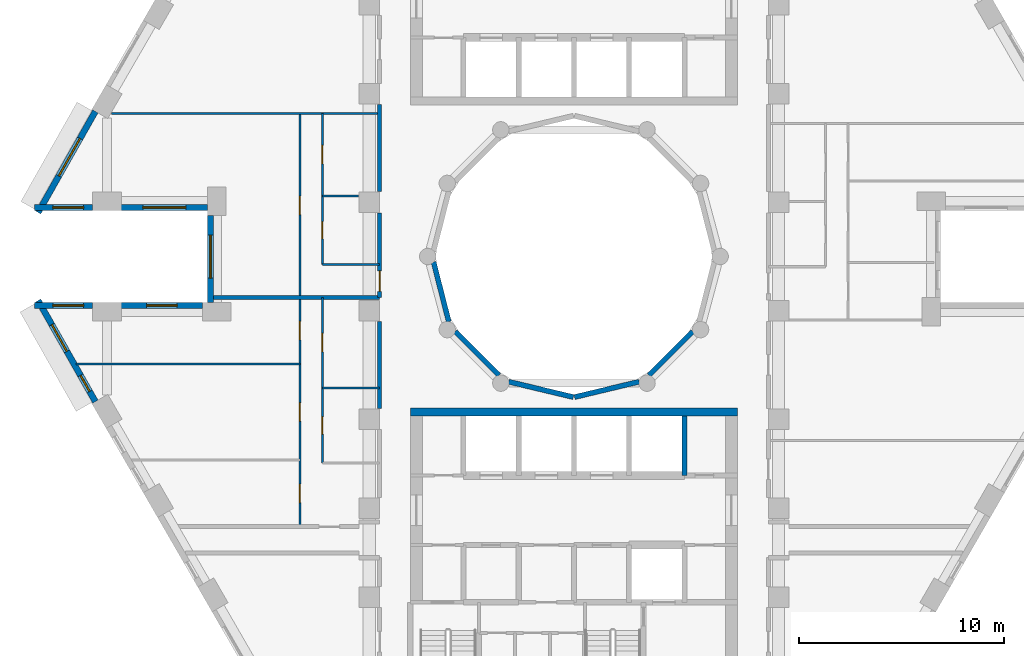
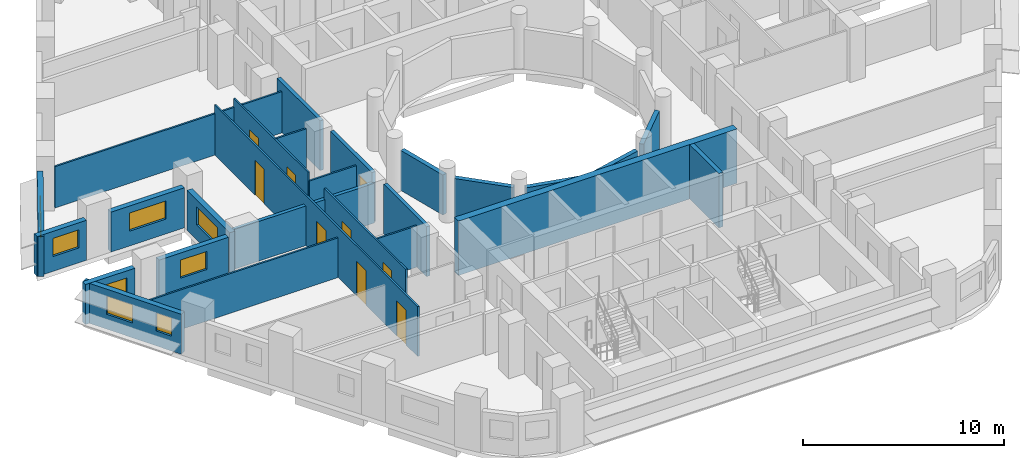
# One storey, part 4 of 12: 26 walls, 9 doors, 8 windows, 17 openings.
"""IFC4 building model written with IfcOpenShell, lengths in metres."""

from ifc_helpers import new_model, si_unit, direction, frame, frame_2d, origin, place, context, subcontext, project, spatial, rectangle, extrude, material, layer, layer_set, type_object, element, fill, save


model = new_model("IFC4")

# Units and contexts
model_context = context("Model", 3, precision=1e-05, world=origin(), true_north=direction((0.0, 1.0)))
body_context = subcontext(model_context, "Body", "Model", "MODEL_VIEW")
ifc_project = project(units=[si_unit("LENGTHUNIT", "METRE"), si_unit("AREAUNIT", "SQUARE_METRE"), si_unit("VOLUMEUNIT", "CUBIC_METRE"), si_unit("PLANEANGLEUNIT", "RADIAN"), si_unit("MASSUNIT", "GRAM", prefix="KILO")], contexts=[model_context])

# Site, building, storey
site_placement = place(None, origin())
site = spatial("IfcSite", under=ifc_project, at=site_placement, CompositionType="ELEMENT")
building_placement = place(site_placement, origin())
building = spatial("IfcBuilding", under=site, at=building_placement, Name="Nakaniwa Court", CompositionType="ELEMENT")
storey_placement = place(building_placement, frame((0.0, 0.0, 97.5)))
storey = spatial("IfcBuildingStorey", under=building, at=storey_placement, Name="L25", CompositionType="ELEMENT", Elevation=97.5)

# Wall
ifc_material_1 = material(Name="Acoustic double stud partition")
ifc_layer_1 = layer(ifc_material_1, 0.199951171875)
ifc_layer_set_1 = layer_set([ifc_layer_1], Name="Acoustic double stud partition")
wall_type_1 = type_object("IfcWallType", Name="Acoustic double stud partition 200", PredefinedType="PARTITIONING", material=ifc_layer_set_1)
wall_1_placement = place(storey_placement, frame((70.5, 72.56689453125, 0.0), z_axis=(0.0, 0.0, 1.0), x_axis=(0.0, 1.0, 0.0)))
element("IfcWall", 1, at=wall_1_placement, inside=storey, type_object=wall_type_1, Name="Partition PW-101", PredefinedType="PARTITIONING", context=body_context, shape_type="SweptSolid", body=[
    extrude(rectangle(XDim=4.26611328125, YDim=0.199951171875, at=frame_2d((2.133056640625, 0.0))), origin(), (0.0, 0.0, 1.0), 3.02490234375),
])

# Wall, opening, door
wall_2_placement = place(storey_placement, frame((70.5, 77.9970703125, 0.0), z_axis=(0.0, 0.0, 1.0), x_axis=(0.0, 1.0, 0.0)))
wall_2 = element("IfcWall", 2, at=wall_2_placement, inside=storey, type_object=wall_type_1, Name="Partition PW-102", PredefinedType="PARTITIONING", context=body_context, shape_type="SweptSolid", body=[
    extrude(rectangle(XDim=4.135986328125, YDim=0.199951171875, at=frame_2d((2.06787109375, 0.0))), origin(), (0.0, 0.0, 1.0), 3.02490234375),
])
opening_1_placement = place(wall_2_placement, frame((0.302978515625, 0.0, 0.0)))
opening_1 = element("IfcOpeningElement", 3, at=opening_1_placement, cuts=wall_2, Name="Opening D-01-03", PredefinedType="OPENING", context=body_context, shape_type="SweptSolid", body=[
    extrude(rectangle(XDim=1.0, YDim=2.10009765625, at=frame_2d((0.5, 1.050048828125))), frame((0.0, 0.10986328125, 0.0), z_axis=(0.0, -1.0, 0.0), x_axis=(1.0, 0.0, 0.0)), (0.0, 0.0, 1.0), 0.219970703125),
])
ifc_material_2 = material(Name="Solid core timber door set, black veneer", Category="wood")
door_type_1 = type_object("IfcDoorType", Name="Flat entrance door 1000", OperationType="NOTDEFINED", PredefinedType="DOOR", material=ifc_material_2)
door_1_placement = place(opening_1_placement, origin())
door_1 = element("IfcDoor", 4, at=door_1_placement, inside=storey, type_object=door_type_1, Name="Door D-01-03 L25-042", OperationType="SINGLE_SWING_LEFT", OverallHeight=2.10009765625, OverallWidth=1.0, PredefinedType="DOOR", context=body_context, shape_type="SweptSolid", body=[
    extrude(rectangle(XDim=1.0, YDim=2.10009765625, at=frame_2d((0.5, 1.050048828125))), frame((0.0, 0.02490234375, 0.0), z_axis=(0.0, -1.0, 0.0), x_axis=(1.0, 0.0, 0.0)), (0.0, 0.0, 1.0), 0.050048828125),
])
fill(opening_1, door_1)

# Walls
wall_3_placement = place(storey_placement, frame((70.5, 83.1669921875, 0.0), z_axis=(0.0, 0.0, 1.0), x_axis=(0.0, 1.0, 0.0)))
element("IfcWall", 5, at=wall_3_placement, inside=storey, type_object=wall_type_1, Name="Partition PW-103", PredefinedType="PARTITIONING", context=body_context, shape_type="SweptSolid", body=[
    extrude(rectangle(XDim=4.26611328125, YDim=0.199951171875, at=frame_2d((2.133056640625, 0.0))), origin(), (0.0, 0.0, 1.0), 3.02490234375),
])
wall_4_placement = place(storey_placement, frame((62.3916015625, 78.0, 0.0), z_axis=(0.0, 0.0, 1.0), x_axis=(1.0, 0.0, 0.0)))
element("IfcWall", 6, at=wall_4_placement, inside=storey, type_object=wall_type_1, Name="Partition PW-122", PredefinedType="PARTITIONING", context=body_context, shape_type="SweptSolid", body=[
    extrude(rectangle(XDim=8.1083984375, YDim=0.199951171875, at=frame_2d((4.05419921875, 0.0))), origin(), (0.0, 0.0, 1.0), 2.405029296875),
])

# Wall, opening, window
ifc_material_3 = material(Name="Charcoal ceramic cladding")
ifc_layer_2 = layer(ifc_material_3, 0.02, Name="Ceramic cladding")
ifc_material_4 = material(Name="Ventilated air cavity")
ifc_layer_3 = layer(ifc_material_4, 0.04, ventilated=True, Name="Ventilated cavity")
ifc_material_5 = material(Name="Mineral wool insulation")
ifc_layer_4 = layer(ifc_material_5, 0.1, Name="Insulation")
ifc_material_6 = material(Name="Cement bonded sheathing board")
ifc_layer_5 = layer(ifc_material_6, 0.012, Name="Sheathing")
ifc_material_7 = material(Name="Cold-formed galvanised stud frame with mineral wool infill")
ifc_layer_6 = layer(ifc_material_7, 0.1, Name="Stud frame")
ifc_material_8 = material(Name="Fire-rated gypsum plasterboard lining")
ifc_layer_7 = layer(ifc_material_8, 0.028, Name="Lining")
ifc_layer_set_2 = layer_set([ifc_layer_2, ifc_layer_3, ifc_layer_4, ifc_layer_5, ifc_layer_6, ifc_layer_7], Name="Charcoal ceramic faced external wall system")
wall_type_2 = type_object("IfcWallType", Name="Black ceramic faced external wall 300", PredefinedType="SOLIDWALL", material=ifc_layer_set_2)
wall_5_placement = place(storey_placement, frame((56.609375, 87.09375, 0.0), z_axis=(0.0, 0.0, 1.0), x_axis=(-0.492456858874, -0.870336855561, 0.0)))
wall_5 = element("IfcWall", 7, at=wall_5_placement, inside=storey, type_object=wall_type_2, Name="L25 external wall 14", PredefinedType="SOLIDWALL", context=body_context, shape_type="SweptSolid", body=[
    extrude(rectangle(XDim=5.676513671875, YDim=0.300048828125, at=frame_2d((2.83837890625, 0.0))), origin(), (0.0, 0.0, 1.0), 2.425048828125),
])
opening_2_placement = place(wall_5_placement, frame((1.52490234375, 0.0, 0.89990234375)))
opening_2 = element("IfcOpeningElement", 8, at=opening_2_placement, cuts=wall_5, Name="Opening W7.15", PredefinedType="OPENING", context=body_context, shape_type="SweptSolid", body=[
    extrude(rectangle(XDim=2.10009765625, YDim=1.10009765625, at=frame_2d((1.050048828125, 0.550048828125))), frame((0.0, 0.159912109375, 0.0), z_axis=(0.0, -1.0, 0.0), x_axis=(1.0, 0.0, 0.0)), (0.0, 0.0, 1.0), 0.320068359375),
])
ifc_material_9 = material(Name="Black anodised aluminium frame with dark low-E laminated double glazing", Category="aluminium")
window_type_1 = type_object("IfcWindowType", Name="Dark glass window 2100x1100 sill 900", PartitioningType="SINGLE_PANEL", PredefinedType="WINDOW", material=ifc_material_9)
window_1_placement = place(opening_2_placement, origin())
window_1 = element("IfcWindow", 9, at=window_1_placement, inside=storey, type_object=window_type_1, Name="L25 living window 14-0", OverallHeight=1.10009765625, OverallWidth=2.10009765625, PartitioningType="SINGLE_PANEL", PredefinedType="WINDOW", context=body_context, shape_type="SweptSolid", body=[
    extrude(rectangle(XDim=2.10009765625, YDim=1.10009765625, at=frame_2d((1.050048828125, 0.550048828125))), frame((0.0, 0.030029296875, 0.0), z_axis=(0.0, -1.0, 0.0), x_axis=(1.0, 0.0, 0.0)), (0.0, 0.0, 1.0), 0.06005859375),
])
fill(opening_2, window_1)

wall_6_placement = place(storey_placement, frame((53.643310546875, 82.39990234375, 0.0), z_axis=(0.0, 0.0, 1.0), x_axis=(1.0, 0.0, 0.0)))
wall_6 = element("IfcWall", 10, at=wall_6_placement, inside=storey, type_object=wall_type_2, Name="L25 external wall 15", PredefinedType="SOLIDWALL", context=body_context, shape_type="SweptSolid", body=[
    extrude(rectangle(XDim=2.837890625, YDim=0.300048828125, at=frame_2d((1.4189453125, 0.0))), origin(), (0.0, 0.0, 1.0), 2.425048828125),
])
opening_3_placement = place(wall_6_placement, frame((0.893798828125, 0.0, 0.89990234375)))
opening_3 = element("IfcOpeningElement", 11, at=opening_3_placement, cuts=wall_6, Name="Opening W5.16", PredefinedType="OPENING", context=body_context, shape_type="SweptSolid", body=[
    extrude(rectangle(XDim=1.5, YDim=1.10009765625, at=frame_2d((0.75, 0.550048828125))), frame((0.0, 0.159912109375, 0.0), z_axis=(0.0, -1.0, 0.0), x_axis=(1.0, 0.0, 0.0)), (0.0, 0.0, 1.0), 0.320068359375),
])
window_type_2 = type_object("IfcWindowType", Name="Dark glass window 1500x1100 sill 900", PartitioningType="SINGLE_PANEL", PredefinedType="WINDOW", material=ifc_material_9)
window_2_placement = place(opening_3_placement, origin())
window_2 = element("IfcWindow", 12, at=window_2_placement, inside=storey, type_object=window_type_2, Name="L25 living window 15-0", OverallHeight=1.10009765625, OverallWidth=1.5, PartitioningType="SINGLE_PANEL", PredefinedType="WINDOW", context=body_context, shape_type="SweptSolid", body=[
    extrude(rectangle(XDim=1.5, YDim=1.10009765625, at=frame_2d((0.75, 0.550048828125))), frame((0.0, 0.030029296875, 0.0), z_axis=(0.0, -1.0, 0.0), x_axis=(1.0, 0.0, 0.0)), (0.0, 0.0, 1.0), 0.06005859375),
])
fill(opening_3, window_2)

wall_7_placement = place(storey_placement, frame((57.873046875, 82.39990234375, 0.0), z_axis=(0.0, 0.0, 1.0), x_axis=(1.0, 0.0, 0.0)))
wall_7 = element("IfcWall", 13, at=wall_7_placement, inside=storey, type_object=wall_type_2, Name="L25 external wall 16", PredefinedType="SOLIDWALL", context=body_context, shape_type="SweptSolid", body=[
    extrude(rectangle(XDim=4.22265625, YDim=0.300048828125, at=frame_2d((2.111328125, 0.0))), origin(), (0.0, 0.0, 1.0), 2.425048828125),
])
opening_4_placement = place(wall_7_placement, frame((1.061279296875, 0.0, 0.89990234375)))
opening_4 = element("IfcOpeningElement", 14, at=opening_4_placement, cuts=wall_7, Name="Opening W7.17", PredefinedType="OPENING", context=body_context, shape_type="SweptSolid", body=[
    extrude(rectangle(XDim=2.10009765625, YDim=1.10009765625, at=frame_2d((1.050048828125, 0.550048828125))), frame((0.0, 0.159912109375, 0.0), z_axis=(0.0, -1.0, 0.0), x_axis=(1.0, 0.0, 0.0)), (0.0, 0.0, 1.0), 0.320068359375),
])
window_3_placement = place(opening_4_placement, origin())
window_3 = element("IfcWindow", 15, at=window_3_placement, inside=storey, type_object=window_type_1, Name="L25 living window 16-0", OverallHeight=1.10009765625, OverallWidth=2.10009765625, PartitioningType="SINGLE_PANEL", PredefinedType="WINDOW", context=body_context, shape_type="SweptSolid", body=[
    extrude(rectangle(XDim=2.10009765625, YDim=1.10009765625, at=frame_2d((1.050048828125, 0.550048828125))), frame((0.0, 0.030029296875, 0.0), z_axis=(0.0, -1.0, 0.0), x_axis=(1.0, 0.0, 0.0)), (0.0, 0.0, 1.0), 0.06005859375),
])
fill(opening_4, window_3)

wall_8_placement = place(storey_placement, frame((62.24169921875, 82.00390625, 0.0), z_axis=(0.0, 0.0, 1.0), x_axis=(0.0, -1.0, 0.0)))
wall_8 = element("IfcWall", 16, at=wall_8_placement, inside=storey, type_object=wall_type_2, Name="L25 external wall 17", PredefinedType="SOLIDWALL", context=body_context, shape_type="SweptSolid", body=[
    extrude(rectangle(XDim=4.2578125, YDim=0.300048828125, at=frame_2d((2.12890625, 0.0))), origin(), (0.0, 0.0, 1.0), 2.425048828125),
])
opening_5_placement = place(wall_8_placement, frame((0.964111328125, 0.0, 0.89990234375)))
opening_5 = element("IfcOpeningElement", 17, at=opening_5_placement, cuts=wall_8, Name="Opening W7.18", PredefinedType="OPENING", context=body_context, shape_type="SweptSolid", body=[
    extrude(rectangle(XDim=2.10009765625, YDim=1.10009765625, at=frame_2d((1.050048828125, 0.550048828125))), frame((0.0, 0.159912109375, 0.0), z_axis=(0.0, -1.0, 0.0), x_axis=(1.0, 0.0, 0.0)), (0.0, 0.0, 1.0), 0.320068359375),
])
window_4_placement = place(opening_5_placement, origin())
window_4 = element("IfcWindow", 18, at=window_4_placement, inside=storey, type_object=window_type_1, Name="L25 living window 17-0", OverallHeight=1.10009765625, OverallWidth=2.10009765625, PartitioningType="SINGLE_PANEL", PredefinedType="WINDOW", context=body_context, shape_type="SweptSolid", body=[
    extrude(rectangle(XDim=2.10009765625, YDim=1.10009765625, at=frame_2d((1.050048828125, 0.550048828125))), frame((0.0, 0.030029296875, 0.0), z_axis=(0.0, -1.0, 0.0), x_axis=(1.0, 0.0, 0.0)), (0.0, 0.0, 1.0), 0.06005859375),
])
fill(opening_5, window_4)

wall_9_placement = place(storey_placement, frame((61.845703125, 77.60009765625, 0.0), z_axis=(0.0, 0.0, 1.0), x_axis=(-1.0, 0.0, 0.0)))
wall_9 = element("IfcWall", 19, at=wall_9_placement, inside=storey, type_object=wall_type_2, Name="L25 external wall 18", PredefinedType="SOLIDWALL", context=body_context, shape_type="SweptSolid", body=[
    extrude(rectangle(XDim=3.97265625, YDim=0.300048828125, at=frame_2d((1.986328125, 0.0))), origin(), (0.0, 0.0, 1.0), 2.425048828125),
])
opening_6_placement = place(wall_9_placement, frame((1.236328125, 0.0, 0.89990234375)))
opening_6 = element("IfcOpeningElement", 20, at=opening_6_placement, cuts=wall_9, Name="Opening W5.19", PredefinedType="OPENING", context=body_context, shape_type="SweptSolid", body=[
    extrude(rectangle(XDim=1.5, YDim=1.10009765625, at=frame_2d((0.75, 0.550048828125))), frame((0.0, 0.159912109375, 0.0), z_axis=(0.0, -1.0, 0.0), x_axis=(1.0, 0.0, 0.0)), (0.0, 0.0, 1.0), 0.320068359375),
])
window_5_placement = place(opening_6_placement, origin())
window_5 = element("IfcWindow", 21, at=window_5_placement, inside=storey, type_object=window_type_2, Name="L25 bedroom window 18-0", OverallHeight=1.10009765625, OverallWidth=1.5, PartitioningType="SINGLE_PANEL", PredefinedType="WINDOW", context=body_context, shape_type="SweptSolid", body=[
    extrude(rectangle(XDim=1.5, YDim=1.10009765625, at=frame_2d((0.75, 0.550048828125))), frame((0.0, 0.030029296875, 0.0), z_axis=(0.0, -1.0, 0.0), x_axis=(1.0, 0.0, 0.0)), (0.0, 0.0, 1.0), 0.06005859375),
])
fill(opening_6, window_5)

wall_10_placement = place(storey_placement, frame((56.481201171875, 77.60009765625, 0.0), z_axis=(0.0, 0.0, 1.0), x_axis=(-1.0, 0.0, 0.0)))
wall_10 = element("IfcWall", 22, at=wall_10_placement, inside=storey, type_object=wall_type_2, Name="L25 external wall 19", PredefinedType="SOLIDWALL", context=body_context, shape_type="SweptSolid", body=[
    extrude(rectangle(XDim=2.837890625, YDim=0.300048828125, at=frame_2d((1.4189453125, 0.0))), origin(), (0.0, 0.0, 1.0), 2.425048828125),
])
opening_7_placement = place(wall_10_placement, frame((0.44384765625, 0.0, 0.89990234375)))
opening_7 = element("IfcOpeningElement", 23, at=opening_7_placement, cuts=wall_10, Name="Opening W5.20", PredefinedType="OPENING", context=body_context, shape_type="SweptSolid", body=[
    extrude(rectangle(XDim=1.5, YDim=1.10009765625, at=frame_2d((0.75, 0.550048828125))), frame((0.0, 0.159912109375, 0.0), z_axis=(0.0, -1.0, 0.0), x_axis=(1.0, 0.0, 0.0)), (0.0, 0.0, 1.0), 0.320068359375),
])
window_6_placement = place(opening_7_placement, origin())
window_6 = element("IfcWindow", 24, at=window_6_placement, inside=storey, type_object=window_type_2, Name="L25 bedroom window 19-0", OverallHeight=1.10009765625, OverallWidth=1.5, PartitioningType="SINGLE_PANEL", PredefinedType="WINDOW", context=body_context, shape_type="SweptSolid", body=[
    extrude(rectangle(XDim=1.5, YDim=1.10009765625, at=frame_2d((0.75, 0.550048828125))), frame((0.0, 0.030029296875, 0.0), z_axis=(0.0, -1.0, 0.0), x_axis=(1.0, 0.0, 0.0)), (0.0, 0.0, 1.0), 0.06005859375),
])
fill(opening_7, window_6)

# Wall, openings, windows
wall_11_placement = place(storey_placement, frame((53.81396484375, 77.8466796875, 0.0), z_axis=(0.0, 0.0, 1.0), x_axis=(0.492456858874, -0.870336855561, 0.0)))
wall_11 = element("IfcWall", 25, at=wall_11_placement, inside=storey, type_object=wall_type_2, Name="L25 external wall 20", PredefinedType="SOLIDWALL", context=body_context, shape_type="SweptSolid", body=[
    extrude(rectangle(XDim=5.676513671875, YDim=0.300048828125, at=frame_2d((2.83837890625, 0.0))), origin(), (0.0, 0.0, 1.0), 2.425048828125),
])
opening_8_placement = place(wall_11_placement, frame((1.35400390625, 0.0, 0.89990234375)))
opening_8 = element("IfcOpeningElement", 26, at=opening_8_placement, cuts=wall_11, Name="Opening W5.21", PredefinedType="OPENING", context=body_context, shape_type="SweptSolid", body=[
    extrude(rectangle(XDim=1.5, YDim=1.10009765625, at=frame_2d((0.75, 0.550048828125))), frame((0.0, 0.159912109375, 0.0), z_axis=(0.0, -1.0, 0.0), x_axis=(1.0, 0.0, 0.0)), (0.0, 0.0, 1.0), 0.320068359375),
])
opening_9_placement = place(wall_11_placement, frame((4.203369140625, 0.0, 0.89990234375)))
opening_9 = element("IfcOpeningElement", 27, at=opening_9_placement, cuts=wall_11, Name="Opening W9.22", PredefinedType="OPENING", context=body_context, shape_type="SweptSolid", body=[
    extrude(rectangle(XDim=0.89990234375, YDim=1.10009765625, at=frame_2d((0.449951171875, 0.550048828125))), frame((0.0, 0.159912109375, 0.0), z_axis=(0.0, -1.0, 0.0), x_axis=(1.0, 0.0, 0.0)), (0.0, 0.0, 1.0), 0.320068359375),
])
window_7_placement = place(opening_8_placement, origin())
window_7 = element("IfcWindow", 28, at=window_7_placement, inside=storey, type_object=window_type_2, Name="L25 bedroom window 20-0", OverallHeight=1.10009765625, OverallWidth=1.5, PartitioningType="SINGLE_PANEL", PredefinedType="WINDOW", context=body_context, shape_type="SweptSolid", body=[
    extrude(rectangle(XDim=1.5, YDim=1.10009765625, at=frame_2d((0.75, 0.550048828125))), frame((0.0, 0.030029296875, 0.0), z_axis=(0.0, -1.0, 0.0), x_axis=(1.0, 0.0, 0.0)), (0.0, 0.0, 1.0), 0.06005859375),
])
fill(opening_8, window_7)
window_type_3 = type_object("IfcWindowType", Name="Dark glass window 900x1100 sill 900", PartitioningType="SINGLE_PANEL", PredefinedType="WINDOW", material=ifc_material_9)
window_8_placement = place(opening_9_placement, origin())
window_8 = element("IfcWindow", 29, at=window_8_placement, inside=storey, type_object=window_type_3, Name="L25 living window 20-1", OverallHeight=1.10009765625, OverallWidth=0.89990234375, PartitioningType="SINGLE_PANEL", PredefinedType="WINDOW", context=body_context, shape_type="SweptSolid", body=[
    extrude(rectangle(XDim=0.89990234375, YDim=1.10009765625, at=frame_2d((0.449951171875, 0.550048828125))), frame((0.0, 0.030029296875, 0.0), z_axis=(0.0, -1.0, 0.0), x_axis=(1.0, 0.0, 0.0)), (0.0, 0.0, 1.0), 0.06005859375),
])
fill(opening_9, window_8)

# Walls
ifc_layer_8 = layer(ifc_material_3, 0.02, Name="Ceramic cladding")
ifc_layer_9 = layer(ifc_material_4, 0.04, ventilated=True, Name="Ventilated cavity")
ifc_layer_10 = layer(ifc_material_5, 0.075, Name="Insulation")
ifc_layer_11 = layer(ifc_material_6, 0.012, Name="Sheathing")
ifc_layer_12 = layer(ifc_material_7, 0.075, Name="Stud frame")
ifc_layer_13 = layer(ifc_material_8, 0.028, Name="Lining")
ifc_layer_set_3 = layer_set([ifc_layer_8, ifc_layer_9, ifc_layer_10, ifc_layer_11, ifc_layer_12, ifc_layer_13], Name="Charcoal ceramic faced external wall system")
wall_type_3 = type_object("IfcWallType", Name="Charcoal ceramic faced well wall 250", PredefinedType="SOLIDWALL", material=ifc_layer_set_3)
wall_12_placement = place(storey_placement, frame((85.8056640625, 76.339111328125, 0.0), z_axis=(0.0, 0.0, 1.0), x_axis=(-0.707106781187, -0.707106781187, 0.0)))
element("IfcWall", 30, at=wall_12_placement, inside=storey, type_object=wall_type_3, Name="L25 external wall 37", PredefinedType="SOLIDWALL", context=body_context, shape_type="SweptSolid", body=[
    extrude(rectangle(XDim=3.033203125, YDim=0.25, at=frame_2d((1.5166015625, 0.0))), origin(), (0.0, 0.0, 1.0), 2.425048828125),
])
for number, where, z_axis, x_axis, name in (
    (31, (83.186279296875, 73.880615234375, 0.0), (0.0, 0.0, 1.0), (-0.972773113459, -0.231759508395, 0.0), "L25 external wall 38"),
    (32, (79.970947265625, 73.12841796875, 0.0), (0.0, 0.0, 1.0), (-0.972773113459, 0.231759508395, 0.0), "L25 external wall 39"),
):
    element("IfcWall", number, at=place(storey_placement, frame(where, z_axis=z_axis, x_axis=x_axis)), inside=storey, type_object=wall_type_3, Name=name, PredefinedType="SOLIDWALL", context=body_context, shape_type="SweptSolid", body=[
        extrude(rectangle(XDim=3.24560546875, YDim=0.25, at=frame_2d((1.622802734375, 0.0))), origin(), (0.0, 0.0, 1.0), 2.425048828125),
    ])
wall_13_placement = place(storey_placement, frame((76.339111328125, 74.1943359375, 0.0), z_axis=(0.0, 0.0, 1.0), x_axis=(-0.707106781187, 0.707106781187, 0.0)))
element("IfcWall", 33, at=wall_13_placement, inside=storey, type_object=wall_type_3, Name="L25 external wall 40", PredefinedType="SOLIDWALL", context=body_context, shape_type="SweptSolid", body=[
    extrude(rectangle(XDim=3.033203125, YDim=0.25, at=frame_2d((1.5166015625, 0.0))), origin(), (0.0, 0.0, 1.0), 2.425048828125),
])
wall_14_placement = place(storey_placement, frame((73.88330078125, 76.813232421875, 0.0), z_axis=(0.0, 0.0, 1.0), x_axis=(-0.247055971283, 0.969001211069, 0.0)))
element("IfcWall", 34, at=wall_14_placement, inside=storey, type_object=wall_type_3, Name="L25 external wall 41", PredefinedType="SOLIDWALL", context=body_context, shape_type="SweptSolid", body=[
    extrude(rectangle(XDim=3.010009765625, YDim=0.25, at=frame_2d((1.5048828125, 0.0))), origin(), (0.0, 0.0, 1.0), 2.425048828125),
])
ifc_material_10 = material(Name="Concrete C80/100", Category="concrete")
ifc_layer_14 = layer(ifc_material_10, 0.39990234375)
ifc_layer_set_4 = layer_set([ifc_layer_14], Name="Concrete C80/100")
wall_type_4 = type_object("IfcWallType", Name="Concrete core well wall 400 C80", PredefinedType="SHEAR", material=ifc_layer_set_4)
wall_15_placement = place(storey_placement, frame((72.00390625, 72.39990234375, -0.27490234375), z_axis=(0.0, 0.0, 1.0), x_axis=(1.0, 0.0, 0.0)))
element("IfcWall", 35, at=wall_15_placement, inside=storey, type_object=wall_type_4, Name="Core wall SW-131", PredefinedType="SHEAR", context=body_context, shape_type="SweptSolid", body=[
    extrude(rectangle(XDim=15.9921875, YDim=0.39990234375, at=frame_2d((7.99609375, 0.0))), origin(), (0.0, 0.0, 1.0), 3.2998046875),
])
ifc_layer_15 = layer(ifc_material_10, 0.25)
ifc_layer_set_5 = layer_set([ifc_layer_15], Name="Concrete C80/100")
wall_type_5 = type_object("IfcWallType", Name="Concrete shaft wall 250 C80", PredefinedType="SHEAR", material=ifc_layer_set_5)
wall_16_placement = place(storey_placement, frame((85.39990234375, 69.300048828125, -0.27490234375), z_axis=(0.0, 0.0, 1.0), x_axis=(0.0, 1.0, 0.0)))
element("IfcWall", 36, at=wall_16_placement, inside=storey, type_object=wall_type_5, Name="Core wall SW-47", PredefinedType="SHEAR", context=body_context, shape_type="SweptSolid", body=[
    extrude(rectangle(XDim=2.89990234375, YDim=0.25, at=frame_2d((1.449951171875, 0.0))), origin(), (0.0, 0.0, 1.0), 3.2998046875),
])
ifc_material_11 = material(Name="Single stud plasterboard partition")
ifc_layer_16 = layer(ifc_material_11, 0.10009765625)
ifc_layer_set_6 = layer_set([ifc_layer_16], Name="Single stud plasterboard partition")
wall_type_6 = type_object("IfcWallType", Name="Single stud plasterboard partition 100", PredefinedType="PARTITIONING", material=ifc_layer_set_6)
wall_17_placement = place(storey_placement, frame((67.699951171875, 73.58203125, 0.0), z_axis=(0.0, 0.0, 1.0), x_axis=(1.0, 0.0, 0.0)))
element("IfcWall", 37, at=wall_17_placement, inside=storey, type_object=wall_type_6, Name="Partition PW-118", PredefinedType="PARTITIONING", context=body_context, shape_type="SweptSolid", body=[
    extrude(rectangle(XDim=2.800048828125, YDim=0.10009765625, at=frame_2d((1.39990234375, 0.0))), origin(), (0.0, 0.0, 1.0), 2.5048828125),
])

# Wall, openings, doors
wall_18_placement = place(storey_placement, frame((67.699951171875, 78.0, 0.0), z_axis=(0.0, 0.0, 1.0), x_axis=(0.0, -1.0, 0.0)))
wall_18 = element("IfcWall", 38, at=wall_18_placement, inside=storey, type_object=wall_type_6, Name="Partition PW-120", PredefinedType="PARTITIONING", context=body_context, shape_type="SweptSolid", body=[
    extrude(rectangle(XDim=8.10009765625, YDim=0.10009765625, at=frame_2d((4.050048828125, 0.0))), origin(), (0.0, 0.0, 1.0), 3.02490234375),
])
opening_10_placement = place(wall_18_placement, frame((5.833984375, 0.0, 0.0)))
opening_10 = element("IfcOpeningElement", 39, at=opening_10_placement, cuts=wall_18, Name="Opening D-03-02", PredefinedType="OPENING", context=body_context, shape_type="SweptSolid", body=[
    extrude(rectangle(XDim=0.85009765625, YDim=2.10009765625, at=frame_2d((0.425048828125, 1.050048828125))), frame((0.0, 0.06005859375, 0.0), z_axis=(0.0, -1.0, 0.0), x_axis=(1.0, 0.0, 0.0)), (0.0, 0.0, 1.0), 0.1201171875),
])
opening_11_placement = place(wall_18_placement, frame((1.759033203125, 0.0, 0.0)))
opening_11 = element("IfcOpeningElement", 40, at=opening_11_placement, cuts=wall_18, Name="Opening D-33-05", PredefinedType="OPENING", context=body_context, shape_type="SweptSolid", body=[
    extrude(rectangle(XDim=0.89990234375, YDim=2.10009765625, at=frame_2d((0.449951171875, 1.050048828125))), frame((0.0, 0.06005859375, 0.0), z_axis=(0.0, -1.0, 0.0), x_axis=(1.0, 0.0, 0.0)), (0.0, 0.0, 1.0), 0.1201171875),
])
ifc_material_12 = material(Name="Moisture sealed timber door set", Category="wood")
door_type_2 = type_object("IfcDoorType", Name="Bathroom door 850", OperationType="NOTDEFINED", PredefinedType="DOOR", material=ifc_material_12)
door_2_placement = place(opening_10_placement, origin())
door_2 = element("IfcDoor", 41, at=door_2_placement, inside=storey, type_object=door_type_2, Name="Door D-03-02 L25-037", OperationType="SINGLE_SWING_RIGHT", OverallHeight=2.10009765625, OverallWidth=0.85009765625, PredefinedType="DOOR", context=body_context, shape_type="SweptSolid", body=[
    extrude(rectangle(XDim=0.85009765625, YDim=2.10009765625, at=frame_2d((0.425048828125, 1.050048828125))), frame((0.0, 0.02490234375, 0.0), z_axis=(0.0, -1.0, 0.0), x_axis=(1.0, 0.0, 0.0)), (0.0, 0.0, 1.0), 0.050048828125),
])
fill(opening_10, door_2)
door_type_3 = type_object("IfcDoorType", Name="Internal door 900", OperationType="NOTDEFINED", PredefinedType="DOOR", material=ifc_material_2)
door_3_placement = place(opening_11_placement, origin())
door_3 = element("IfcDoor", 42, at=door_3_placement, inside=storey, type_object=door_type_3, Name="Door D-33-05 L25-038", OperationType="SINGLE_SWING_LEFT", OverallHeight=2.10009765625, OverallWidth=0.89990234375, PredefinedType="DOOR", context=body_context, shape_type="SweptSolid", body=[
    extrude(rectangle(XDim=0.89990234375, YDim=2.10009765625, at=frame_2d((0.449951171875, 1.050048828125))), frame((0.0, 0.02490234375, 0.0), z_axis=(0.0, -1.0, 0.0), x_axis=(1.0, 0.0, 0.0)), (0.0, 0.0, 1.0), 0.050048828125),
])
fill(opening_11, door_3)

wall_19_placement = place(storey_placement, frame((67.699951171875, 87.0, 0.0), z_axis=(0.0, 0.0, 1.0), x_axis=(0.0, -1.0, 0.0)))
wall_19 = element("IfcWall", 43, at=wall_19_placement, inside=storey, type_object=wall_type_6, Name="Partition PW-121", PredefinedType="PARTITIONING", context=body_context, shape_type="SweptSolid", body=[
    extrude(rectangle(XDim=7.39990234375, YDim=0.10009765625, at=frame_2d((3.699951171875, 0.0))), origin(), (0.0, 0.0, 1.0), 3.02490234375),
])
opening_12_placement = place(wall_19_placement, frame((5.29296875, 0.0, 0.0)))
opening_12 = element("IfcOpeningElement", 44, at=opening_12_placement, cuts=wall_19, Name="Opening D-03-03", PredefinedType="OPENING", context=body_context, shape_type="SweptSolid", body=[
    extrude(rectangle(XDim=0.85009765625, YDim=2.10009765625, at=frame_2d((0.425048828125, 1.050048828125))), frame((0.0, 0.06005859375, 0.0), z_axis=(0.0, -1.0, 0.0), x_axis=(1.0, 0.0, 0.0)), (0.0, 0.0, 1.0), 0.1201171875),
])
opening_13_placement = place(wall_19_placement, frame((1.568115234375, 0.0, 0.0)))
opening_13 = element("IfcOpeningElement", 45, at=opening_13_placement, cuts=wall_19, Name="Opening D-33-09", PredefinedType="OPENING", context=body_context, shape_type="SweptSolid", body=[
    extrude(rectangle(XDim=0.89990234375, YDim=2.10009765625, at=frame_2d((0.449951171875, 1.050048828125))), frame((0.0, 0.06005859375, 0.0), z_axis=(0.0, -1.0, 0.0), x_axis=(1.0, 0.0, 0.0)), (0.0, 0.0, 1.0), 0.1201171875),
])
door_4_placement = place(opening_12_placement, origin())
door_4 = element("IfcDoor", 46, at=door_4_placement, inside=storey, type_object=door_type_2, Name="Door D-03-03 L25-043", OperationType="SINGLE_SWING_RIGHT", OverallHeight=2.10009765625, OverallWidth=0.85009765625, PredefinedType="DOOR", context=body_context, shape_type="SweptSolid", body=[
    extrude(rectangle(XDim=0.85009765625, YDim=2.10009765625, at=frame_2d((0.425048828125, 1.050048828125))), frame((0.0, 0.02490234375, 0.0), z_axis=(0.0, -1.0, 0.0), x_axis=(1.0, 0.0, 0.0)), (0.0, 0.0, 1.0), 0.050048828125),
])
fill(opening_12, door_4)
door_5_placement = place(opening_13_placement, origin())
door_5 = element("IfcDoor", 47, at=door_5_placement, inside=storey, type_object=door_type_3, Name="Door D-33-09 L25-044", OperationType="SINGLE_SWING_LEFT", OverallHeight=2.10009765625, OverallWidth=0.89990234375, PredefinedType="DOOR", context=body_context, shape_type="SweptSolid", body=[
    extrude(rectangle(XDim=0.89990234375, YDim=2.10009765625, at=frame_2d((0.449951171875, 1.050048828125))), frame((0.0, 0.02490234375, 0.0), z_axis=(0.0, -1.0, 0.0), x_axis=(1.0, 0.0, 0.0)), (0.0, 0.0, 1.0), 0.050048828125),
])
fill(opening_13, door_5)

wall_20_placement = place(storey_placement, frame((66.60009765625, 66.800048828125, 0.0), z_axis=(0.0, 0.0, 1.0), x_axis=(0.0, 1.0, 0.0)))
wall_20 = element("IfcWall", 48, at=wall_20_placement, inside=storey, type_object=wall_type_6, Name="Partition PW-123", PredefinedType="PARTITIONING", context=body_context, shape_type="SweptSolid", body=[
    extrude(rectangle(XDim=20.199951171875, YDim=0.10009765625, at=frame_2d((10.10009765625, 0.0))), origin(), (0.0, 0.0, 1.0), 3.02490234375),
])
opening_14_placement = place(wall_20_placement, frame((1.176025390625, 0.0, 0.0)))
opening_14 = element("IfcOpeningElement", 49, at=opening_14_placement, cuts=wall_20, Name="Opening D-33-06", PredefinedType="OPENING", context=body_context, shape_type="SweptSolid", body=[
    extrude(rectangle(XDim=0.89990234375, YDim=2.10009765625, at=frame_2d((0.449951171875, 1.050048828125))), frame((0.0, 0.06005859375, 0.0), z_axis=(0.0, -1.0, 0.0), x_axis=(1.0, 0.0, 0.0)), (0.0, 0.0, 1.0), 0.1201171875),
])
opening_15_placement = place(wall_20_placement, frame((5.14990234375, 0.0, 0.0)))
opening_15 = element("IfcOpeningElement", 50, at=opening_15_placement, cuts=wall_20, Name="Opening D-33-07", PredefinedType="OPENING", context=body_context, shape_type="SweptSolid", body=[
    extrude(rectangle(XDim=0.89990234375, YDim=2.10009765625, at=frame_2d((0.449951171875, 1.050048828125))), frame((0.0, 0.06005859375, 0.0), z_axis=(0.0, -1.0, 0.0), x_axis=(1.0, 0.0, 0.0)), (0.0, 0.0, 1.0), 0.1201171875),
])
opening_16_placement = place(wall_20_placement, frame((9.1240234375, 0.0, 0.0)))
opening_16 = element("IfcOpeningElement", 51, at=opening_16_placement, cuts=wall_20, Name="Opening D-33-08", PredefinedType="OPENING", context=body_context, shape_type="SweptSolid", body=[
    extrude(rectangle(XDim=0.89990234375, YDim=2.10009765625, at=frame_2d((0.449951171875, 1.050048828125))), frame((0.0, 0.06005859375, 0.0), z_axis=(0.0, -1.0, 0.0), x_axis=(1.0, 0.0, 0.0)), (0.0, 0.0, 1.0), 0.1201171875),
])
opening_17_placement = place(wall_20_placement, frame((15.25, 0.0, 0.0)))
opening_17 = element("IfcOpeningElement", 52, at=opening_17_placement, cuts=wall_20, Name="Opening D-33-10", PredefinedType="OPENING", context=body_context, shape_type="SweptSolid", body=[
    extrude(rectangle(XDim=0.89990234375, YDim=2.10009765625, at=frame_2d((0.449951171875, 1.050048828125))), frame((0.0, 0.06005859375, 0.0), z_axis=(0.0, -1.0, 0.0), x_axis=(1.0, 0.0, 0.0)), (0.0, 0.0, 1.0), 0.1201171875),
])
door_6_placement = place(opening_14_placement, origin())
door_6 = element("IfcDoor", 53, at=door_6_placement, inside=storey, type_object=door_type_3, Name="Door D-33-06 L25-039", OperationType="SINGLE_SWING_RIGHT", OverallHeight=2.10009765625, OverallWidth=0.89990234375, PredefinedType="DOOR", context=body_context, shape_type="SweptSolid", body=[
    extrude(rectangle(XDim=0.89990234375, YDim=2.10009765625, at=frame_2d((0.449951171875, 1.050048828125))), frame((0.0, 0.02490234375, 0.0), z_axis=(0.0, -1.0, 0.0), x_axis=(1.0, 0.0, 0.0)), (0.0, 0.0, 1.0), 0.050048828125),
])
fill(opening_14, door_6)
door_7_placement = place(opening_15_placement, origin())
door_7 = element("IfcDoor", 54, at=door_7_placement, inside=storey, type_object=door_type_3, Name="Door D-33-07 L25-040", OperationType="SINGLE_SWING_LEFT", OverallHeight=2.10009765625, OverallWidth=0.89990234375, PredefinedType="DOOR", context=body_context, shape_type="SweptSolid", body=[
    extrude(rectangle(XDim=0.89990234375, YDim=2.10009765625, at=frame_2d((0.449951171875, 1.050048828125))), frame((0.0, 0.02490234375, 0.0), z_axis=(0.0, -1.0, 0.0), x_axis=(1.0, 0.0, 0.0)), (0.0, 0.0, 1.0), 0.050048828125),
])
fill(opening_15, door_7)
door_8_placement = place(opening_16_placement, origin())
door_8 = element("IfcDoor", 55, at=door_8_placement, inside=storey, type_object=door_type_3, Name="Door D-33-08 L25-041", OperationType="SINGLE_SWING_RIGHT", OverallHeight=2.10009765625, OverallWidth=0.89990234375, PredefinedType="DOOR", context=body_context, shape_type="SweptSolid", body=[
    extrude(rectangle(XDim=0.89990234375, YDim=2.10009765625, at=frame_2d((0.449951171875, 1.050048828125))), frame((0.0, 0.02490234375, 0.0), z_axis=(0.0, -1.0, 0.0), x_axis=(1.0, 0.0, 0.0)), (0.0, 0.0, 1.0), 0.050048828125),
])
fill(opening_16, door_8)
door_9_placement = place(opening_17_placement, origin())
door_9 = element("IfcDoor", 56, at=door_9_placement, inside=storey, type_object=door_type_3, Name="Door D-33-10 L25-045", OperationType="SINGLE_SWING_RIGHT", OverallHeight=2.10009765625, OverallWidth=0.89990234375, PredefinedType="DOOR", context=body_context, shape_type="SweptSolid", body=[
    extrude(rectangle(XDim=0.89990234375, YDim=2.10009765625, at=frame_2d((0.449951171875, 1.050048828125))), frame((0.0, 0.02490234375, 0.0), z_axis=(0.0, -1.0, 0.0), x_axis=(1.0, 0.0, 0.0)), (0.0, 0.0, 1.0), 0.050048828125),
])
fill(opening_17, door_9)

# Walls
wall_21_placement = place(storey_placement, frame((55.66552734375, 74.748046875, 0.0), z_axis=(0.0, 0.0, 1.0), x_axis=(1.0, 0.0, 0.0)))
element("IfcWall", 57, at=wall_21_placement, inside=storey, type_object=wall_type_6, Name="Partition PW-125", PredefinedType="PARTITIONING", context=body_context, shape_type="SweptSolid", body=[
    extrude(rectangle(XDim=10.9345703125, YDim=0.10009765625, at=frame_2d((5.46728515625, 0.0))), origin(), (0.0, 0.0, 1.0), 2.405029296875),
])
wall_22_placement = place(storey_placement, frame((67.699951171875, 82.964111328125, 0.0), z_axis=(0.0, 0.0, 1.0), x_axis=(1.0, 0.0, 0.0)))
element("IfcWall", 58, at=wall_22_placement, inside=storey, type_object=wall_type_6, Name="Partition PW-126", PredefinedType="PARTITIONING", context=body_context, shape_type="SweptSolid", body=[
    extrude(rectangle(XDim=1.780029296875, YDim=0.10009765625, at=frame_2d((0.89013671875, 0.0))), origin(), (0.0, 0.0, 1.0), 3.02490234375),
])
wall_23_placement = place(storey_placement, frame((67.699951171875, 79.60009765625, 0.0), z_axis=(0.0, 0.0, 1.0), x_axis=(1.0, 0.0, 0.0)))
element("IfcWall", 59, at=wall_23_placement, inside=storey, type_object=wall_type_6, Name="Partition PW-127", PredefinedType="PARTITIONING", context=body_context, shape_type="SweptSolid", body=[
    extrude(rectangle(XDim=2.800048828125, YDim=0.10009765625, at=frame_2d((1.39990234375, 0.0))), origin(), (0.0, 0.0, 1.0), 2.5048828125),
])
wall_24_placement = place(storey_placement, frame((57.390869140625, 87.0, 0.0), z_axis=(0.0, 0.0, 1.0), x_axis=(1.0, 0.0, 0.0)))
element("IfcWall", 60, at=wall_24_placement, inside=storey, type_object=wall_type_6, Name="Partition PW-128", PredefinedType="PARTITIONING", context=body_context, shape_type="SweptSolid", body=[
    extrude(rectangle(XDim=13.109130859375, YDim=0.10009765625, at=frame_2d((6.5546875, 0.0))), origin(), (0.0, 0.0, 1.0), 2.5048828125),
])

save(model, "model.ifc")
